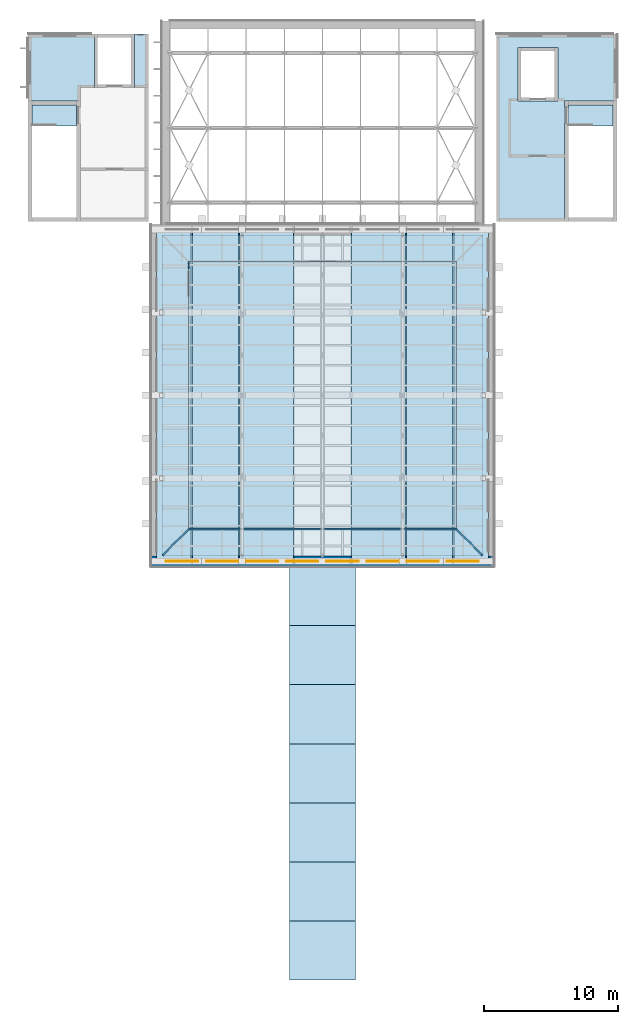
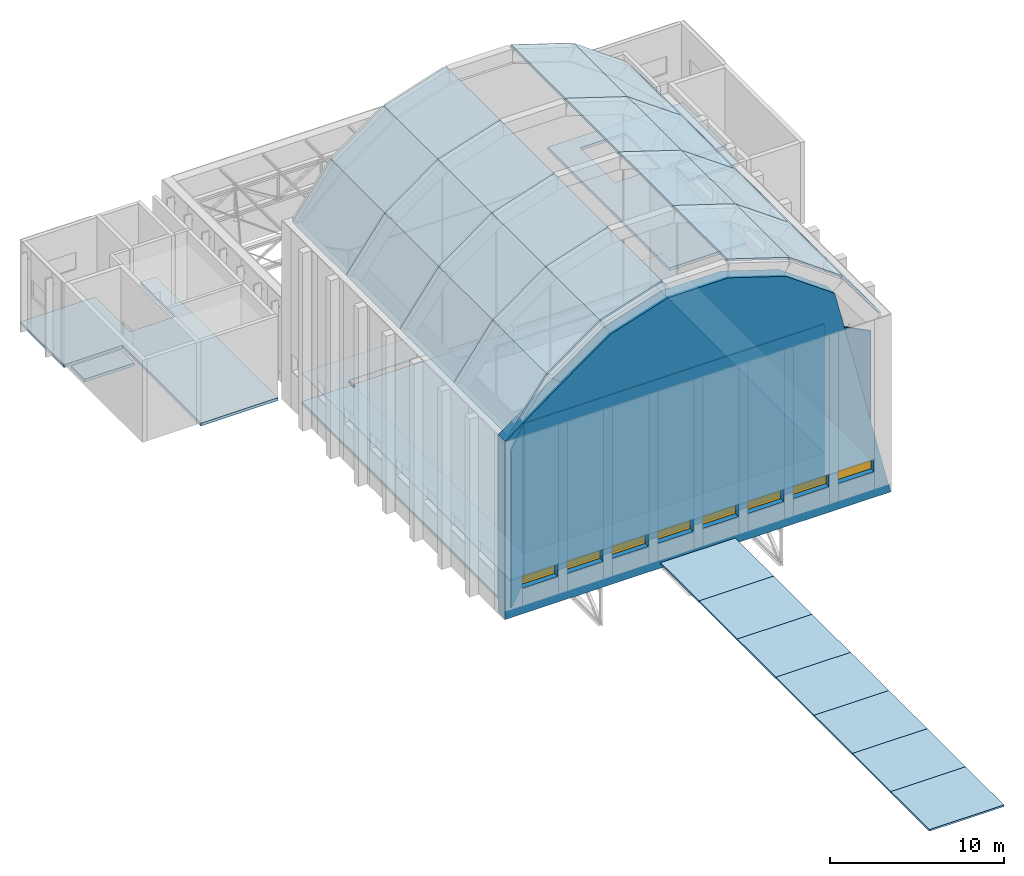
# One storey, part 44 of 55: 37 slabs, 8 windows, 4 walls, 1 member, 8 openings.
"""IFC4 building model written with IfcOpenShell, lengths in metres."""

from ifc_helpers import new_model, si_unit, direction, frame, frame_2d, origin, origin_2d, place, context, subcontext, project, spatial, polyline, rectangle, hollow_rectangle, outline, extrude, material, layer, layer_set, material_profile, profile_set, type_object, element, fill, save


model = new_model("IFC4")

# Units and contexts
model_context = context("Model", 3, precision=1e-05, world=origin(), true_north=direction((0.0, 1.0)))
body_context = subcontext(model_context, "Body", "Model", "MODEL_VIEW")
ifc_project = project(units=[si_unit("LENGTHUNIT", "METRE"), si_unit("AREAUNIT", "SQUARE_METRE"), si_unit("VOLUMEUNIT", "CUBIC_METRE"), si_unit("PLANEANGLEUNIT", "RADIAN"), si_unit("MASSUNIT", "GRAM", prefix="KILO")], contexts=[model_context])

# Site, building, storey
site_placement = place(None, origin())
site = spatial("IfcSite", under=ifc_project, at=site_placement, CompositionType="ELEMENT")
building_placement = place(site_placement, origin())
building = spatial("IfcBuilding", under=site, at=building_placement, Name="Lunette Opera House", CompositionType="ELEMENT")
storey_placement = place(building_placement, frame((0.0, 0.0, 34.0)))
storey = spatial("IfcBuildingStorey", under=building, at=storey_placement, Name="L06", CompositionType="ELEMENT", Elevation=34.0)

# Member
ifc_material_1 = material(Name="Steel S355", Category="steel")
ifc_material_profile = material_profile(ifc_material_1, hollow_rectangle(XDim=0.1201171875, YDim=0.1201171875, WallThickness=0.006103515625, InnerFilletRadius=0.006103515625, OuterFilletRadius=0.011962890625, at=origin_2d()), Name="RHS 120X120X6")
ifc_profile_set = profile_set([ifc_material_profile], Name="Steel S355")
member_type = type_object("IfcMemberType", Name="EDGE RHS 120X120X6", PredefinedType="MEMBER", material=ifc_profile_set)
member_placement = place(storey_placement, frame((86.0, 117.449951171875, 1.8798828125), z_axis=(0.0, 1.0, 0.0), x_axis=(-1.0, 0.0, 0.0)))
element("IfcMember", 1, at=member_placement, inside=storey, type_object=member_type, Name="mem-ST-L06-LOFT-EDW2", PredefinedType="MEMBER", context=body_context, shape_type="SweptSolid", body=[
    extrude(hollow_rectangle(XDim=0.1201171875, YDim=0.1201171875, WallThickness=0.006103515625, InnerFilletRadius=0.006103515625, OuterFilletRadius=0.011962890625, at=origin_2d()), origin(), (0.0, 0.0, 1.0), 0.550048828125),
])

# Slabs
ifc_material_2 = material(Name="Concrete C35/45", Category="concrete")
ifc_layer_1 = layer(ifc_material_2, 0.199951171875)
ifc_layer_set_1 = layer_set([ifc_layer_1], Name="Concrete C35/45")
slab_type_1 = type_object("IfcSlabType", Name="CORE LANDING SLAB 200", PredefinedType="LANDING", material=ifc_layer_set_1)
slab_1_placement = place(storey_placement, frame((0.0, 0.0, -0.199951171875)))
element("IfcSlab", 2, at=slab_1_placement, inside=storey, type_object=slab_type_1, Name="ST11 floor landing", PredefinedType="LANDING", context=body_context, shape_type="SweptSolid", body=[
    extrude(outline(polyline([(77.60009765625, 129.699951171875), (77.60009765625, 128.139892578125), (76.050048828125, 128.139892578125), (76.050048828125, 128.14990234375), (74.300048828125, 128.14990234375), (74.300048828125, 129.699951171875), (77.60009765625, 129.699951171875)])), origin(), (0.0, 0.0, 1.0), 0.199951171875),
])
slab_2_placement = place(storey_placement, frame((0.0, 0.0, -0.199951171875)))
element("IfcSlab", 3, at=slab_2_placement, inside=storey, type_object=slab_type_1, Name="ST12 floor landing", PredefinedType="LANDING", context=body_context, shape_type="SweptSolid", body=[
    extrude(outline(polyline([(117.699951171875, 128.139892578125), (116.14990234375, 128.139892578125), (116.14990234375, 128.14990234375), (114.39990234375, 128.14990234375), (114.39990234375, 129.699951171875), (117.699951171875, 129.699951171875), (117.699951171875, 128.139892578125)])), origin(), (0.0, 0.0, 1.0), 0.199951171875),
])
ifc_material_3 = material(Name="Steel S235 grating", Category="steel")
ifc_layer_2 = layer(ifc_material_3, 0.06005859375)
ifc_layer_set_2 = layer_set([ifc_layer_2], Name="Steel S235 grating")
slab_type_2 = type_object("IfcSlabType", Name="GALLERY GRATING 60", PredefinedType="LANDING", material=ifc_layer_set_2)
slab_3_placement = place(storey_placement, frame((0.0, 0.0, 1.93994140625)))
element("IfcSlab", 4, at=slab_3_placement, inside=storey, type_object=slab_type_2, Name="slab-ST-L06-LOFT-1", PredefinedType="LANDING", context=body_context, shape_type="SweptSolid", body=[
    extrude(outline(polyline([(84.0, 96.0), (108.0, 96.0), (108.0, 120.0), (84.0, 120.0), (84.0, 96.0)]), holes=[polyline([(106.0, 118.0), (106.0, 98.0), (86.0, 98.0), (86.0, 118.0), (106.0, 118.0)])]), origin(), (0.0, 0.0, 1.0), 0.06005859375),
])
ifc_material_4 = material(Name="Concrete C35/45", Category="concrete")
ifc_layer_3 = layer(ifc_material_4, 0.199951171875)
ifc_layer_set_3 = layer_set([ifc_layer_3], Name="Concrete C35/45")
slab_type_3 = type_object("IfcSlabType", Name="GRID FLOOR 200", PredefinedType="FLOOR", material=ifc_layer_set_3)
slab_4_placement = place(storey_placement, frame((0.0, 0.0, -0.199951171875)))
element("IfcSlab", 5, at=slab_4_placement, inside=storey, type_object=slab_type_3, Name="slab-ST-L06-F1", PredefinedType="FLOOR", context=body_context, shape_type="SweptSolid", body=[
    extrude(outline(polyline([(108.0, 120.0), (84.0, 120.0), (84.0, 96.0), (108.0, 96.0), (108.0, 120.0)])), origin(), (0.0, 0.0, 1.0), 0.199951171875),
])
slab_5_placement = place(storey_placement, frame((0.0, 0.0, -0.199951171875)))
element("IfcSlab", 6, at=slab_5_placement, inside=storey, type_object=slab_type_3, Name="slab-ST-L06-F2", PredefinedType="FLOOR", context=body_context, shape_type="SweptSolid", body=[
    extrude(outline(polyline([(74.0, 135.0), (74.0, 130.0), (77.89990234375, 130.0), (77.89990234375, 121.0), (83.0, 121.0), (83.0, 135.0), (81.949951171875, 135.0), (81.949951171875, 131.0), (78.949951171875, 131.0), (78.949951171875, 135.0), (74.0, 135.0)])), origin(), (0.0, 0.0, 1.0), 0.199951171875),
])
slab_6_placement = place(storey_placement, frame((0.0, 0.0, -0.199951171875)))
element("IfcSlab", 7, at=slab_6_placement, inside=storey, type_object=slab_type_3, Name="slab-ST-L06-F3", PredefinedType="FLOOR", context=body_context, shape_type="SweptSolid", body=[
    extrude(outline(polyline([(109.0, 135.0), (109.0, 121.0), (114.10009765625, 121.0), (114.10009765625, 130.0), (118.0, 130.0), (118.0, 135.0), (109.0, 135.0)]), holes=[polyline([(110.60009765625, 130.0), (110.60009765625, 134.0), (113.60009765625, 134.0), (113.60009765625, 130.0), (110.60009765625, 130.0)])]), origin(), (0.0, 0.0, 1.0), 0.199951171875),
])
ifc_material_5 = material(Name="Concrete C40/50", Category="concrete")
ifc_layer_4 = layer(ifc_material_5, 0.1201171875)
ifc_layer_set_4 = layer_set([ifc_layer_4], Name="Concrete C40/50")
slab_type_4 = type_object("IfcSlabType", Name="SHELL STRIP 120", PredefinedType="ROOF", material=ifc_layer_set_4)
slab_7_placement = place(storey_placement, frame((93.52197265625, 64.300048828125, 0.382080078125), z_axis=(0.0, 0.0, 1.0), x_axis=(1.0, 0.0, 0.0)))
element("IfcSlab", 8, at=slab_7_placement, inside=storey, type_object=slab_type_4, Name="slab-AU-L04-BS1-5", PredefinedType="ROOF", context=body_context, shape_type="SweptSolid", body=[
    extrude(outline(polyline([(0.0, 0.0), (4.9560546875, 0.0), (4.9560546875, 4.4140625), (0.0, 4.4140625), (0.0, 0.0)])), origin(), (0.0, 0.0, -1.0), 0.1201171875),
])
slab_8_placement = place(storey_placement, frame((93.52197265625, 68.714111328125, 0.382080078125), z_axis=(0.0, 0.0, 1.0), x_axis=(1.0, 0.0, 0.0)))
element("IfcSlab", 9, at=slab_8_placement, inside=storey, type_object=slab_type_4, Name="slab-AU-L04-BS2-5", PredefinedType="ROOF", context=body_context, shape_type="SweptSolid", body=[
    extrude(outline(polyline([(0.0, 0.0), (4.9560546875, 0.0), (4.9560546875, 4.414794921875), (0.0, 4.414794921875), (0.0, 0.0)])), origin(), (0.0, 0.0, -1.0), 0.1201171875),
])
for number, where, z_axis, x_axis, name in (
    (10, (93.52197265625, 73.12890625, 0.382080078125), (0.0, 0.0, 1.0), (1.0, 0.0, 0.0), "slab-AU-L04-BS3-5"),
    (11, (93.52197265625, 77.54296875, 0.382080078125), (0.0, 0.0, 1.0), (1.0, 0.0, 0.0), "slab-AU-L04-BS4-5"),
    (12, (93.52197265625, 81.95703125, 0.382080078125), (0.0, 0.0, 1.0), (1.0, 0.0, 0.0), "slab-AU-L04-BS5-5"),
):
    element("IfcSlab", number, at=place(storey_placement, frame(where, z_axis=z_axis, x_axis=x_axis)), inside=storey, type_object=slab_type_4, Name=name, PredefinedType="ROOF", context=body_context, shape_type="SweptSolid", body=[
        extrude(outline(polyline([(0.0, 0.0), (4.9560546875, 0.0), (4.9560546875, 4.4140625), (0.0, 4.4140625), (0.0, 0.0)])), origin(), (0.0, 0.0, -1.0), 0.1201171875),
    ])
slab_9_placement = place(storey_placement, frame((93.52197265625, 86.37109375, 0.382080078125), z_axis=(0.0, 0.0, 1.0), x_axis=(1.0, 0.0, 0.0)))
element("IfcSlab", 13, at=slab_9_placement, inside=storey, type_object=slab_type_4, Name="slab-AU-L04-BS6-5", PredefinedType="ROOF", context=body_context, shape_type="SweptSolid", body=[
    extrude(outline(polyline([(0.0, 0.0), (4.9560546875, 0.0), (4.9560546875, 4.414794921875), (0.0, 4.414794921875), (0.0, 0.0)])), origin(), (0.0, 0.0, -1.0), 0.1201171875),
])
slab_10_placement = place(storey_placement, frame((93.52197265625, 90.785888671875, 0.382080078125), z_axis=(0.0, 0.0, 1.0), x_axis=(1.0, 0.0, 0.0)))
element("IfcSlab", 14, at=slab_10_placement, inside=storey, type_object=slab_type_4, Name="slab-AU-L04-BS7-5", PredefinedType="ROOF", context=body_context, shape_type="SweptSolid", body=[
    extrude(outline(polyline([(0.0, 0.0), (4.9560546875, 0.0), (4.9560546875, 4.4140625), (0.0, 4.4140625), (0.0, 0.0)])), origin(), (0.0, 0.0, -1.0), 0.1201171875),
])
ifc_material_6 = material(Name="Concrete C40/50", Category="concrete")
ifc_layer_5 = layer(ifc_material_6, 0.1298828125)
ifc_layer_set_5 = layer_set([ifc_layer_5], Name="Concrete C40/50")
slab_type_5 = type_object("IfcSlabType", Name="SHELL STRIP 130", PredefinedType="ROOF", material=ifc_layer_set_5)
slab_11_placement = place(storey_placement, frame((83.60009765625, 95.60009765625, 12.5), z_axis=(-0.803058033081, 0.0, 0.595900826904), x_axis=(0.595900826904, 0.0, 0.803058033081)))
element("IfcSlab", 15, at=slab_11_placement, inside=storey, type_object=slab_type_5, Name="slab-ST-L06-TS1-1", PredefinedType="ROOF", context=body_context, shape_type="SweptSolid", body=[
    extrude(outline(polyline([(0.0, 0.0), (4.334626998121621, 0.0), (4.334626998121621, 6.199951171875), (0.0, 6.199951171875), (0.0, 0.0)])), origin(), (0.0, 0.0, -1.0), 0.1298828125),
])
slab_12_placement = place(storey_placement, frame((86.18310546875, 95.60009765625, 15.98095703125), z_axis=(-0.58257475906, 0.0, 0.812777122037), x_axis=(0.812777122037, 0.0, 0.58257475906)))
element("IfcSlab", 16, at=slab_12_placement, inside=storey, type_object=slab_type_5, Name="slab-ST-L06-TS1-2", PredefinedType="ROOF", context=body_context, shape_type="SweptSolid", body=[
    extrude(outline(polyline([(0.0, 0.0), (4.334459131822869, 0.0), (4.334459131822869, 6.199951171875), (0.0, 6.199951171875), (0.0, 0.0)])), origin(), (0.0, 0.0, -1.0), 0.1298828125),
])
for number, where, z_axis, x_axis, name in (
    (17, (89.7060546875, 95.60009765625, 18.506103515625), (-0.30568097399, 0.0, 0.952133993795), (0.952133993795, 0.0, 0.30568097399), "slab-ST-L06-TS1-3"),
    (18, (98.1669921875, 95.60009765625, 19.8310546875), (0.30568097399, 0.0, 0.952133993795), (0.952133993795, 0.0, -0.30568097399), "slab-ST-L06-TS1-5"),
):
    element("IfcSlab", number, at=place(storey_placement, frame(where, z_axis=z_axis, x_axis=x_axis)), inside=storey, type_object=slab_type_5, Name=name, PredefinedType="ROOF", context=body_context, shape_type="SweptSolid", body=[
        extrude(outline(polyline([(0.0, 0.0), (4.334424725820049, 0.0), (4.334424725820049, 6.199951171875002), (0.0, 6.199951171875002), (0.0, 0.0)])), origin(), (0.0, 0.0, -1.0), 0.1298828125),
    ])
slab_13_placement = place(storey_placement, frame((102.2939453125, 95.60009765625, 18.506103515625), z_axis=(0.58257475906, 0.0, 0.812777122037), x_axis=(0.812777122037, 0.0, -0.58257475906)))
element("IfcSlab", 19, at=slab_13_placement, inside=storey, type_object=slab_type_5, Name="slab-ST-L06-TS1-6", PredefinedType="ROOF", context=body_context, shape_type="SweptSolid", body=[
    extrude(outline(polyline([(0.0, 0.0), (4.334459131822869, 0.0), (4.334459131822869, 6.199951171875), (0.0, 6.199951171875), (0.0, 0.0)])), origin(), (0.0, 0.0, -1.0), 0.1298828125),
])
for number, where, z_axis, x_axis, name in (
    (20, (105.81689453125, 95.60009765625, 15.98095703125), (0.803058033081, 0.0, 0.595900826904), (0.595900826904, 0.0, -0.803058033081), "slab-ST-L06-TS1-7"),
    (21, (83.60009765625, 101.800048828125, 12.5), (-0.803058033081, 0.0, 0.595900826904), (0.595900826904, 0.0, 0.803058033081), "slab-ST-L06-TS2-1"),
):
    element("IfcSlab", number, at=place(storey_placement, frame(where, z_axis=z_axis, x_axis=x_axis)), inside=storey, type_object=slab_type_5, Name=name, PredefinedType="ROOF", context=body_context, shape_type="SweptSolid", body=[
        extrude(outline(polyline([(0.0, 0.0), (4.334626998121621, 0.0), (4.334626998121621, 6.199951171875), (0.0, 6.199951171875), (0.0, 0.0)])), origin(), (0.0, 0.0, -1.0), 0.1298828125),
    ])
slab_14_placement = place(storey_placement, frame((86.18310546875, 101.800048828125, 15.98095703125), z_axis=(-0.58257475906, 0.0, 0.812777122037), x_axis=(0.812777122037, 0.0, 0.58257475906)))
element("IfcSlab", 22, at=slab_14_placement, inside=storey, type_object=slab_type_5, Name="slab-ST-L06-TS2-2", PredefinedType="ROOF", context=body_context, shape_type="SweptSolid", body=[
    extrude(outline(polyline([(0.0, 0.0), (4.334459131822869, 0.0), (4.334459131822869, 6.199951171875), (0.0, 6.199951171875), (0.0, 0.0)])), origin(), (0.0, 0.0, -1.0), 0.1298828125),
])
for number, where, z_axis, x_axis, name in (
    (23, (89.7060546875, 101.800048828125, 18.506103515625), (-0.30568097399, 0.0, 0.952133993795), (0.952133993795, 0.0, 0.30568097399), "slab-ST-L06-TS2-3"),
    (24, (98.1669921875, 101.800048828125, 19.8310546875), (0.30568097399, 0.0, 0.952133993795), (0.952133993795, 0.0, -0.30568097399), "slab-ST-L06-TS2-5"),
):
    element("IfcSlab", number, at=place(storey_placement, frame(where, z_axis=z_axis, x_axis=x_axis)), inside=storey, type_object=slab_type_5, Name=name, PredefinedType="ROOF", context=body_context, shape_type="SweptSolid", body=[
        extrude(outline(polyline([(0.0, 0.0), (4.334424725820049, 0.0), (4.334424725820049, 6.199951171875002), (0.0, 6.199951171875002), (0.0, 0.0)])), origin(), (0.0, 0.0, -1.0), 0.1298828125),
    ])
slab_15_placement = place(storey_placement, frame((102.2939453125, 101.800048828125, 18.506103515625), z_axis=(0.58257475906, 0.0, 0.812777122037), x_axis=(0.812777122037, 0.0, -0.58257475906)))
element("IfcSlab", 25, at=slab_15_placement, inside=storey, type_object=slab_type_5, Name="slab-ST-L06-TS2-6", PredefinedType="ROOF", context=body_context, shape_type="SweptSolid", body=[
    extrude(outline(polyline([(0.0, 0.0), (4.334459131822869, 0.0), (4.334459131822869, 6.199951171875), (0.0, 6.199951171875), (0.0, 0.0)])), origin(), (0.0, 0.0, -1.0), 0.1298828125),
])
for number, where, z_axis, x_axis, name in (
    (26, (105.81689453125, 101.800048828125, 15.98095703125), (0.803058033081, 0.0, 0.595900826904), (0.595900826904, 0.0, -0.803058033081), "slab-ST-L06-TS2-7"),
    (27, (83.60009765625, 108.0, 12.5), (-0.803058033081, 0.0, 0.595900826904), (0.595900826904, 0.0, 0.803058033081), "slab-ST-L06-TS3-1"),
):
    element("IfcSlab", number, at=place(storey_placement, frame(where, z_axis=z_axis, x_axis=x_axis)), inside=storey, type_object=slab_type_5, Name=name, PredefinedType="ROOF", context=body_context, shape_type="SweptSolid", body=[
        extrude(outline(polyline([(0.0, 0.0), (4.334626998121621, 0.0), (4.334626998121621, 6.199951171875), (0.0, 6.199951171875), (0.0, 0.0)])), origin(), (0.0, 0.0, -1.0), 0.1298828125),
    ])
slab_16_placement = place(storey_placement, frame((86.18310546875, 108.0, 15.98095703125), z_axis=(-0.58257475906, 0.0, 0.812777122037), x_axis=(0.812777122037, 0.0, 0.58257475906)))
element("IfcSlab", 28, at=slab_16_placement, inside=storey, type_object=slab_type_5, Name="slab-ST-L06-TS3-2", PredefinedType="ROOF", context=body_context, shape_type="SweptSolid", body=[
    extrude(outline(polyline([(0.0, 0.0), (4.334459131822869, 0.0), (4.334459131822869, 6.199951171875), (0.0, 6.199951171875), (0.0, 0.0)])), origin(), (0.0, 0.0, -1.0), 0.1298828125),
])
for number, where, z_axis, x_axis, name in (
    (29, (89.7060546875, 108.0, 18.506103515625), (-0.30568097399, 0.0, 0.952133993795), (0.952133993795, 0.0, 0.30568097399), "slab-ST-L06-TS3-3"),
    (30, (98.1669921875, 108.0, 19.8310546875), (0.30568097399, 0.0, 0.952133993795), (0.952133993795, 0.0, -0.30568097399), "slab-ST-L06-TS3-5"),
):
    element("IfcSlab", number, at=place(storey_placement, frame(where, z_axis=z_axis, x_axis=x_axis)), inside=storey, type_object=slab_type_5, Name=name, PredefinedType="ROOF", context=body_context, shape_type="SweptSolid", body=[
        extrude(outline(polyline([(0.0, 0.0), (4.334424725820049, 0.0), (4.334424725820049, 6.199951171875002), (0.0, 6.199951171875002), (0.0, 0.0)])), origin(), (0.0, 0.0, -1.0), 0.1298828125),
    ])
slab_17_placement = place(storey_placement, frame((102.2939453125, 108.0, 18.506103515625), z_axis=(0.58257475906, 0.0, 0.812777122037), x_axis=(0.812777122037, 0.0, -0.58257475906)))
element("IfcSlab", 31, at=slab_17_placement, inside=storey, type_object=slab_type_5, Name="slab-ST-L06-TS3-6", PredefinedType="ROOF", context=body_context, shape_type="SweptSolid", body=[
    extrude(outline(polyline([(0.0, 0.0), (4.334459131822869, 0.0), (4.334459131822869, 6.199951171875), (0.0, 6.199951171875), (0.0, 0.0)])), origin(), (0.0, 0.0, -1.0), 0.1298828125),
])
for number, where, z_axis, x_axis, name in (
    (32, (105.81689453125, 108.0, 15.98095703125), (0.803058033081, 0.0, 0.595900826904), (0.595900826904, 0.0, -0.803058033081), "slab-ST-L06-TS3-7"),
    (33, (83.60009765625, 114.199951171875, 12.5), (-0.803058033081, 0.0, 0.595900826904), (0.595900826904, 0.0, 0.803058033081), "slab-ST-L06-TS4-1"),
):
    element("IfcSlab", number, at=place(storey_placement, frame(where, z_axis=z_axis, x_axis=x_axis)), inside=storey, type_object=slab_type_5, Name=name, PredefinedType="ROOF", context=body_context, shape_type="SweptSolid", body=[
        extrude(outline(polyline([(0.0, 0.0), (4.334626998121621, 0.0), (4.334626998121621, 6.199951171875), (0.0, 6.199951171875), (0.0, 0.0)])), origin(), (0.0, 0.0, -1.0), 0.1298828125),
    ])
slab_18_placement = place(storey_placement, frame((86.18310546875, 114.199951171875, 15.98095703125), z_axis=(-0.58257475906, 0.0, 0.812777122037), x_axis=(0.812777122037, 0.0, 0.58257475906)))
element("IfcSlab", 34, at=slab_18_placement, inside=storey, type_object=slab_type_5, Name="slab-ST-L06-TS4-2", PredefinedType="ROOF", context=body_context, shape_type="SweptSolid", body=[
    extrude(outline(polyline([(0.0, 0.0), (4.334459131822869, 0.0), (4.334459131822869, 6.199951171875), (0.0, 6.199951171875), (0.0, 0.0)])), origin(), (0.0, 0.0, -1.0), 0.1298828125),
])
for number, where, z_axis, x_axis, name in (
    (35, (89.7060546875, 114.199951171875, 18.506103515625), (-0.30568097399, 0.0, 0.952133993795), (0.952133993795, 0.0, 0.30568097399), "slab-ST-L06-TS4-3"),
    (36, (98.1669921875, 114.199951171875, 19.8310546875), (0.30568097399, 0.0, 0.952133993795), (0.952133993795, 0.0, -0.30568097399), "slab-ST-L06-TS4-5"),
):
    element("IfcSlab", number, at=place(storey_placement, frame(where, z_axis=z_axis, x_axis=x_axis)), inside=storey, type_object=slab_type_5, Name=name, PredefinedType="ROOF", context=body_context, shape_type="SweptSolid", body=[
        extrude(outline(polyline([(0.0, 0.0), (4.334424725820049, 0.0), (4.334424725820049, 6.199951171875002), (0.0, 6.199951171875002), (0.0, 0.0)])), origin(), (0.0, 0.0, -1.0), 0.1298828125),
    ])
slab_19_placement = place(storey_placement, frame((102.2939453125, 114.199951171875, 18.506103515625), z_axis=(0.58257475906, 0.0, 0.812777122037), x_axis=(0.812777122037, 0.0, -0.58257475906)))
element("IfcSlab", 37, at=slab_19_placement, inside=storey, type_object=slab_type_5, Name="slab-ST-L06-TS4-6", PredefinedType="ROOF", context=body_context, shape_type="SweptSolid", body=[
    extrude(outline(polyline([(0.0, 0.0), (4.334459131822869, 0.0), (4.334459131822869, 6.199951171875), (0.0, 6.199951171875), (0.0, 0.0)])), origin(), (0.0, 0.0, -1.0), 0.1298828125),
])
slab_20_placement = place(storey_placement, frame((105.81689453125, 114.199951171875, 15.98095703125), z_axis=(0.803058033081, 0.0, 0.595900826904), x_axis=(0.595900826904, 0.0, -0.803058033081)))
element("IfcSlab", 38, at=slab_20_placement, inside=storey, type_object=slab_type_5, Name="slab-ST-L06-TS4-7", PredefinedType="ROOF", context=body_context, shape_type="SweptSolid", body=[
    extrude(outline(polyline([(0.0, 0.0), (4.334626998121621, 0.0), (4.334626998121621, 6.199951171875), (0.0, 6.199951171875), (0.0, 0.0)])), origin(), (0.0, 0.0, -1.0), 0.1298828125),
])

# Wall, openings, windows
ifc_material_7 = material(Name="Concrete C40/50", Category="concrete")
ifc_layer_6 = layer(ifc_material_7, 0.800048828125)
ifc_layer_set_6 = layer_set([ifc_layer_6], Name="Concrete C40/50")
wall_type_1 = type_object("IfcWallType", Name="FIRE WALL 800", PredefinedType="SHEAR", material=ifc_layer_set_6)
wall_1_placement = place(storey_placement, frame((83.199951171875, 95.60009765625, 0.0), z_axis=(0.0, 0.0, 1.0), x_axis=(1.0, 0.0, 0.0)))
wall_1 = element("IfcWall", 39, at=wall_1_placement, inside=storey, type_object=wall_type_1, Name="wall-ST-L06-WP-1", PredefinedType="SHEAR", context=body_context, shape_type="SweptSolid", body=[
    extrude(outline(polyline([(0.0, 0.0), (25.60009765625, 0.0), (25.59912109375, 12.5), (25.59912109375, 0.0), (21.886962890625, 15.239013671875), (20.800048828125, 16.01904296875), (18.6259765625, 17.576904296875), (14.805908203125, 18.802978515625), (10.7939453125, 18.802978515625), (6.97412109375, 17.576904296875), (4.800048828125, 16.01904296875), (3.7119140625, 15.239013671875), (0.0009765625, 12.5), (0.0, 0.0), (0.0, 0.0)])), frame((0.0, 0.39990234375, 0.0), z_axis=(0.0, -1.0, 0.0), x_axis=(1.0, 0.0, 0.0)), (0.0, 0.0, 1.0), 0.800048828125),
])
opening_1_placement = place(wall_1_placement, frame((1.10009765625, 0.0, 1.800048828125)))
opening_1 = element("IfcOpeningElement", 40, at=opening_1_placement, cuts=wall_1, Name="Opening ST-N2073", PredefinedType="OPENING", context=body_context, shape_type="SweptSolid", body=[
    extrude(rectangle(XDim=2.39990234375, YDim=0.89990234375, at=frame_2d((1.199951171875, 0.449951171875))), frame((0.0, 0.412109375, 0.0), z_axis=(0.0, -1.0, 0.0), x_axis=(1.0, 0.0, 0.0)), (0.0, 0.0, 1.0), 0.823974609375),
])
opening_2_placement = place(wall_1_placement, frame((4.10009765625, 0.0, 1.800048828125)))
opening_2 = element("IfcOpeningElement", 41, at=opening_2_placement, cuts=wall_1, Name="Opening ST-N2074", PredefinedType="OPENING", context=body_context, shape_type="SweptSolid", body=[
    extrude(rectangle(XDim=2.39990234375, YDim=0.89990234375, at=frame_2d((1.199951171875, 0.449951171875))), frame((0.0, 0.412109375, 0.0), z_axis=(0.0, -1.0, 0.0), x_axis=(1.0, 0.0, 0.0)), (0.0, 0.0, 1.0), 0.823974609375),
])
opening_3_placement = place(wall_1_placement, frame((7.10009765625, 0.0, 1.800048828125)))
opening_3 = element("IfcOpeningElement", 42, at=opening_3_placement, cuts=wall_1, Name="Opening ST-N2075", PredefinedType="OPENING", context=body_context, shape_type="SweptSolid", body=[
    extrude(rectangle(XDim=2.39990234375, YDim=0.89990234375, at=frame_2d((1.199951171875, 0.449951171875))), frame((0.0, 0.412109375, 0.0), z_axis=(0.0, -1.0, 0.0), x_axis=(1.0, 0.0, 0.0)), (0.0, 0.0, 1.0), 0.823974609375),
])
opening_4_placement = place(wall_1_placement, frame((10.10009765625, 0.0, 1.800048828125)))
opening_4 = element("IfcOpeningElement", 43, at=opening_4_placement, cuts=wall_1, Name="Opening ST-N2076", PredefinedType="OPENING", context=body_context, shape_type="SweptSolid", body=[
    extrude(rectangle(XDim=2.39990234375, YDim=0.89990234375, at=frame_2d((1.199951171875, 0.449951171875))), frame((0.0, 0.412109375, 0.0), z_axis=(0.0, -1.0, 0.0), x_axis=(1.0, 0.0, 0.0)), (0.0, 0.0, 1.0), 0.823974609375),
])
opening_5_placement = place(wall_1_placement, frame((13.10009765625, 0.0, 1.800048828125)))
opening_5 = element("IfcOpeningElement", 44, at=opening_5_placement, cuts=wall_1, Name="Opening ST-N2077", PredefinedType="OPENING", context=body_context, shape_type="SweptSolid", body=[
    extrude(rectangle(XDim=2.39990234375, YDim=0.89990234375, at=frame_2d((1.199951171875, 0.449951171875))), frame((0.0, 0.412109375, 0.0), z_axis=(0.0, -1.0, 0.0), x_axis=(1.0, 0.0, 0.0)), (0.0, 0.0, 1.0), 0.823974609375),
])
opening_6_placement = place(wall_1_placement, frame((16.10009765625, 0.0, 1.800048828125)))
opening_6 = element("IfcOpeningElement", 45, at=opening_6_placement, cuts=wall_1, Name="Opening ST-N2078", PredefinedType="OPENING", context=body_context, shape_type="SweptSolid", body=[
    extrude(rectangle(XDim=2.39990234375, YDim=0.89990234375, at=frame_2d((1.199951171875, 0.449951171875))), frame((0.0, 0.412109375, 0.0), z_axis=(0.0, -1.0, 0.0), x_axis=(1.0, 0.0, 0.0)), (0.0, 0.0, 1.0), 0.823974609375),
])
opening_7_placement = place(wall_1_placement, frame((19.10009765625, 0.0, 1.800048828125)))
opening_7 = element("IfcOpeningElement", 46, at=opening_7_placement, cuts=wall_1, Name="Opening ST-N2079", PredefinedType="OPENING", context=body_context, shape_type="SweptSolid", body=[
    extrude(rectangle(XDim=2.39990234375, YDim=0.89990234375, at=frame_2d((1.199951171875, 0.449951171875))), frame((0.0, 0.412109375, 0.0), z_axis=(0.0, -1.0, 0.0), x_axis=(1.0, 0.0, 0.0)), (0.0, 0.0, 1.0), 0.823974609375),
])
opening_8_placement = place(wall_1_placement, frame((22.10009765625, 0.0, 1.800048828125)))
opening_8 = element("IfcOpeningElement", 47, at=opening_8_placement, cuts=wall_1, Name="Opening ST-N2080", PredefinedType="OPENING", context=body_context, shape_type="SweptSolid", body=[
    extrude(rectangle(XDim=2.39990234375, YDim=0.89990234375, at=frame_2d((1.199951171875, 0.449951171875))), frame((0.0, 0.412109375, 0.0), z_axis=(0.0, -1.0, 0.0), x_axis=(1.0, 0.0, 0.0)), (0.0, 0.0, 1.0), 0.823974609375),
])
ifc_material_8 = material(Name="Aluminium", Category="aluminium")
window_type = type_object("IfcWindowType", Name="SMOKE VENT LOUVRE 2400 X 900", PartitioningType="SINGLE_PANEL", PredefinedType="WINDOW", material=ifc_material_8)
window_1_placement = place(opening_1_placement, origin())
window_1 = element("IfcWindow", 48, at=window_1_placement, inside=storey, type_object=window_type, Name="Smoke Vent Louvre 2400 X 900 TS1 L06", OverallHeight=0.89990234375, OverallWidth=2.39990234375, PartitioningType="SINGLE_PANEL", PredefinedType="WINDOW", context=body_context, shape_type="SweptSolid", body=[
    extrude(rectangle(XDim=2.39990234375, YDim=0.89990234375, at=frame_2d((1.199951171875, 0.449951171875))), frame((0.0, 0.030029296875, 0.0), z_axis=(0.0, -1.0, 0.0), x_axis=(1.0, 0.0, 0.0)), (0.0, 0.0, 1.0), 0.06005859375),
])
fill(opening_1, window_1)
window_2_placement = place(opening_2_placement, origin())
window_2 = element("IfcWindow", 49, at=window_2_placement, inside=storey, type_object=window_type, Name="Smoke Vent Louvre 2400 X 900 TS2 L06", OverallHeight=0.89990234375, OverallWidth=2.39990234375, PartitioningType="SINGLE_PANEL", PredefinedType="WINDOW", context=body_context, shape_type="SweptSolid", body=[
    extrude(rectangle(XDim=2.39990234375, YDim=0.89990234375, at=frame_2d((1.199951171875, 0.449951171875))), frame((0.0, 0.030029296875, 0.0), z_axis=(0.0, -1.0, 0.0), x_axis=(1.0, 0.0, 0.0)), (0.0, 0.0, 1.0), 0.06005859375),
])
fill(opening_2, window_2)
window_3_placement = place(opening_3_placement, origin())
window_3 = element("IfcWindow", 50, at=window_3_placement, inside=storey, type_object=window_type, Name="Smoke Vent Louvre 2400 X 900 TS3 L06", OverallHeight=0.89990234375, OverallWidth=2.39990234375, PartitioningType="SINGLE_PANEL", PredefinedType="WINDOW", context=body_context, shape_type="SweptSolid", body=[
    extrude(rectangle(XDim=2.39990234375, YDim=0.89990234375, at=frame_2d((1.199951171875, 0.449951171875))), frame((0.0, 0.030029296875, 0.0), z_axis=(0.0, -1.0, 0.0), x_axis=(1.0, 0.0, 0.0)), (0.0, 0.0, 1.0), 0.06005859375),
])
fill(opening_3, window_3)
window_4_placement = place(opening_4_placement, origin())
window_4 = element("IfcWindow", 51, at=window_4_placement, inside=storey, type_object=window_type, Name="Smoke Vent Louvre 2400 X 900 TS4 L06", OverallHeight=0.89990234375, OverallWidth=2.39990234375, PartitioningType="SINGLE_PANEL", PredefinedType="WINDOW", context=body_context, shape_type="SweptSolid", body=[
    extrude(rectangle(XDim=2.39990234375, YDim=0.89990234375, at=frame_2d((1.199951171875, 0.449951171875))), frame((0.0, 0.030029296875, 0.0), z_axis=(0.0, -1.0, 0.0), x_axis=(1.0, 0.0, 0.0)), (0.0, 0.0, 1.0), 0.06005859375),
])
fill(opening_4, window_4)
window_5_placement = place(opening_5_placement, origin())
window_5 = element("IfcWindow", 52, at=window_5_placement, inside=storey, type_object=window_type, Name="Smoke Vent Louvre 2400 X 900 TS5 L06", OverallHeight=0.89990234375, OverallWidth=2.39990234375, PartitioningType="SINGLE_PANEL", PredefinedType="WINDOW", context=body_context, shape_type="SweptSolid", body=[
    extrude(rectangle(XDim=2.39990234375, YDim=0.89990234375, at=frame_2d((1.199951171875, 0.449951171875))), frame((0.0, 0.030029296875, 0.0), z_axis=(0.0, -1.0, 0.0), x_axis=(1.0, 0.0, 0.0)), (0.0, 0.0, 1.0), 0.06005859375),
])
fill(opening_5, window_5)
window_6_placement = place(opening_6_placement, origin())
window_6 = element("IfcWindow", 53, at=window_6_placement, inside=storey, type_object=window_type, Name="Smoke Vent Louvre 2400 X 900 TS6 L06", OverallHeight=0.89990234375, OverallWidth=2.39990234375, PartitioningType="SINGLE_PANEL", PredefinedType="WINDOW", context=body_context, shape_type="SweptSolid", body=[
    extrude(rectangle(XDim=2.39990234375, YDim=0.89990234375, at=frame_2d((1.199951171875, 0.449951171875))), frame((0.0, 0.030029296875, 0.0), z_axis=(0.0, -1.0, 0.0), x_axis=(1.0, 0.0, 0.0)), (0.0, 0.0, 1.0), 0.06005859375),
])
fill(opening_6, window_6)
window_7_placement = place(opening_7_placement, origin())
window_7 = element("IfcWindow", 54, at=window_7_placement, inside=storey, type_object=window_type, Name="Smoke Vent Louvre 2400 X 900 TS7 L06", OverallHeight=0.89990234375, OverallWidth=2.39990234375, PartitioningType="SINGLE_PANEL", PredefinedType="WINDOW", context=body_context, shape_type="SweptSolid", body=[
    extrude(rectangle(XDim=2.39990234375, YDim=0.89990234375, at=frame_2d((1.199951171875, 0.449951171875))), frame((0.0, 0.030029296875, 0.0), z_axis=(0.0, -1.0, 0.0), x_axis=(1.0, 0.0, 0.0)), (0.0, 0.0, 1.0), 0.06005859375),
])
fill(opening_7, window_7)
window_8_placement = place(opening_8_placement, origin())
window_8 = element("IfcWindow", 55, at=window_8_placement, inside=storey, type_object=window_type, Name="Smoke Vent Louvre 2400 X 900 TS8 L06", OverallHeight=0.89990234375, OverallWidth=2.39990234375, PartitioningType="SINGLE_PANEL", PredefinedType="WINDOW", context=body_context, shape_type="SweptSolid", body=[
    extrude(rectangle(XDim=2.39990234375, YDim=0.89990234375, at=frame_2d((1.199951171875, 0.449951171875))), frame((0.0, 0.030029296875, 0.0), z_axis=(0.0, -1.0, 0.0), x_axis=(1.0, 0.0, 0.0)), (0.0, 0.0, 1.0), 0.06005859375),
])
fill(opening_8, window_8)

# Walls
ifc_material_9 = material(Name="Gypsum board on steel studs", Category="steel")
ifc_layer_7 = layer(ifc_material_9, 0.10009765625)
ifc_layer_set_7 = layer_set([ifc_layer_7], Name="Gypsum board on steel studs")
wall_type_2 = type_object("IfcWallType", Name="STUD PARTITION 100", PredefinedType="PARTITIONING", material=ifc_layer_set_7)
wall_2_placement = place(storey_placement, frame((106.0, 98.0, 0.0), z_axis=(0.0, 0.0, 1.0), x_axis=(-1.0, 0.0, 0.0)))
element("IfcWall", 56, at=wall_2_placement, inside=storey, type_object=wall_type_2, Name="Partition Fly Gallery 34 South", PredefinedType="PARTITIONING", context=body_context, shape_type="SweptSolid", body=[
    extrude(rectangle(XDim=19.949951171875, YDim=0.10009765625, at=frame_2d((9.97509765625, 0.0))), origin(), (0.0, 0.0, 1.0), 11.10009765625),
])
for number, where, z_axis, x_axis, name in (
    (57, (85.9990234375, 97.9990234375, 0.0), (0.0, 0.0, 1.0), (-0.707106781187, -0.707106781187, 0.0), "Partition Fly Gallery 34 South"),
    (58, (107.949951171875, 96.050048828125, 0.0), (0.0, 0.0, 1.0), (-0.707106781187, 0.707106781187, 0.0), "Partition Fly Gallery 34 South"),
):
    element("IfcWall", number, at=place(storey_placement, frame(where, z_axis=z_axis, x_axis=x_axis)), inside=storey, type_object=wall_type_2, Name=name, PredefinedType="PARTITIONING", context=body_context, shape_type="SweptSolid", body=[
        extrude(rectangle(XDim=2.75634765625, YDim=0.10009765625, at=frame_2d((1.378173828125, 0.0))), origin(), (0.0, 0.0, 1.0), 11.10009765625),
    ])

save(model, "model.ifc")
